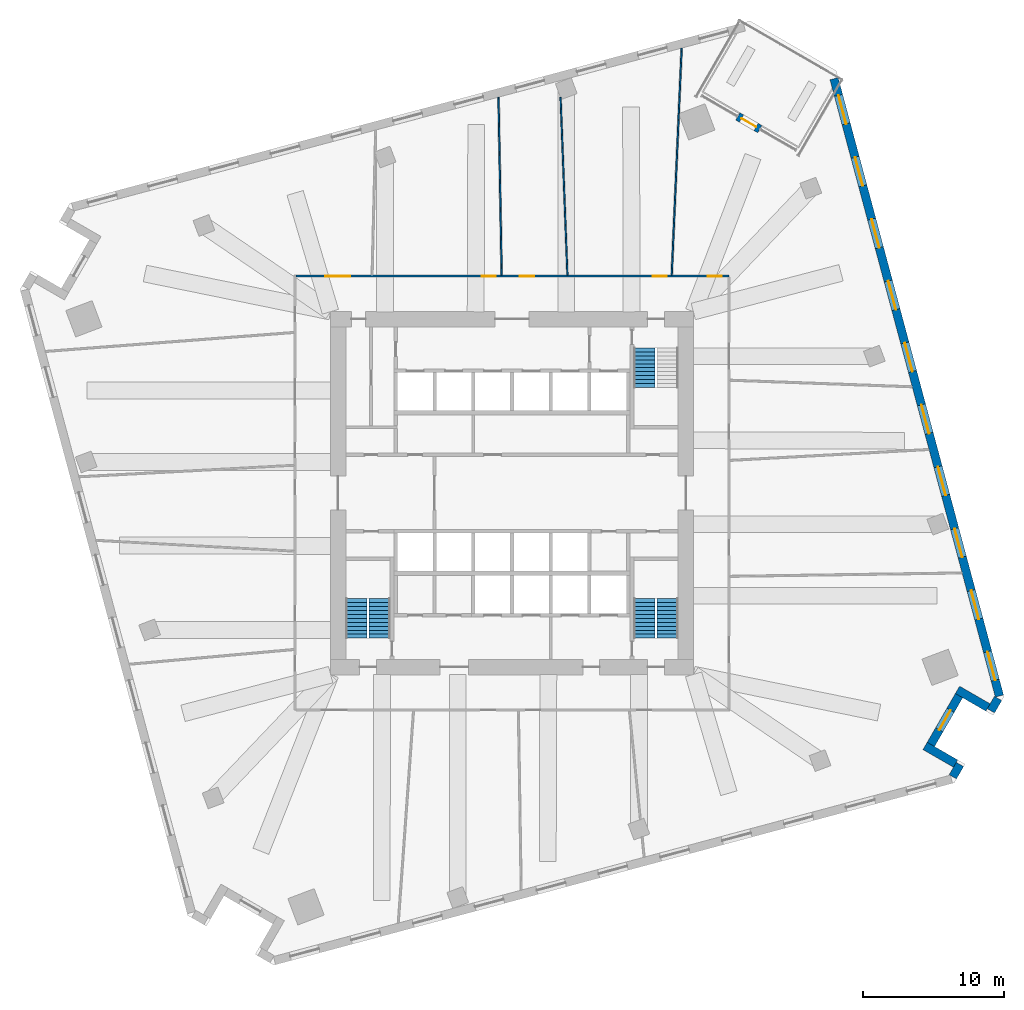
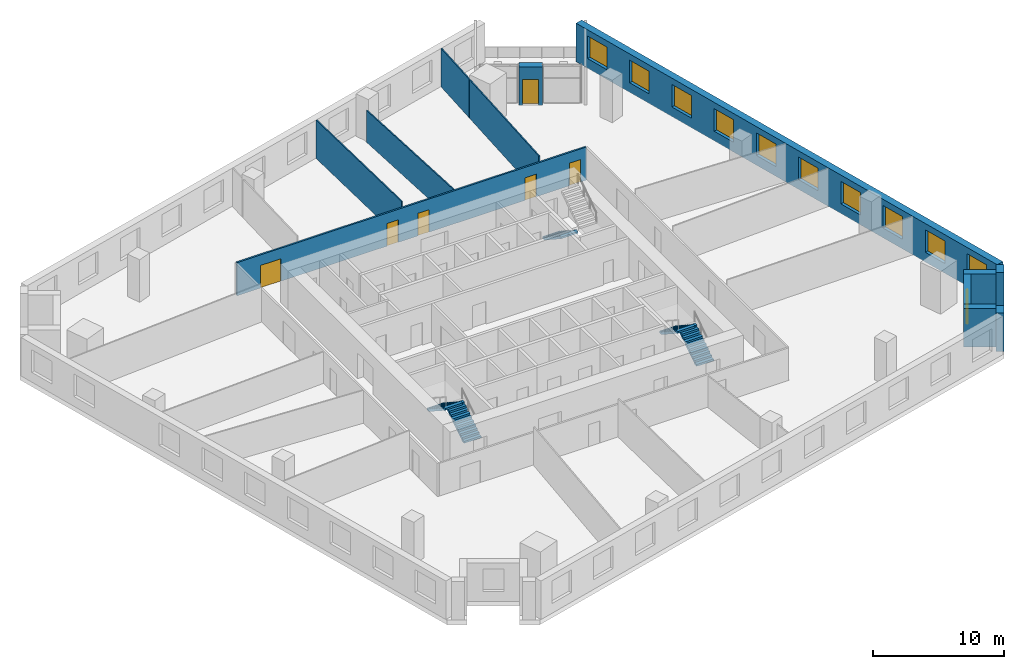
# One storey, part 8 of 11: 12 walls, 11 windows, 6 doors, 5 stair flights, 17 openings, 3 elements without a shape of their own.
"""IFC4 building model written with IfcOpenShell, lengths in metres."""

from ifc_helpers import new_model, si_unit, direction, frame, frame_2d, origin, place, context, subcontext, project, spatial, polyline, rectangle, outline, extrude, material, layer, layer_set, type_object, element, fill, aggregate, save


model = new_model("IFC4")

# Units and contexts
model_context = context("Model", 3, precision=1e-05, world=origin(), true_north=direction((0.0, 1.0)))
body_context = subcontext(model_context, "Body", "Model", "MODEL_VIEW")
ifc_project = project(units=[si_unit("LENGTHUNIT", "METRE"), si_unit("AREAUNIT", "SQUARE_METRE"), si_unit("VOLUMEUNIT", "CUBIC_METRE"), si_unit("PLANEANGLEUNIT", "RADIAN"), si_unit("MASSUNIT", "GRAM", prefix="KILO")], contexts=[model_context])

# Site, building, storey
site_placement = place(None, origin())
site = spatial("IfcSite", under=ifc_project, at=site_placement, CompositionType="ELEMENT")
building_placement = place(site_placement, origin())
building = spatial("IfcBuilding", under=site, at=building_placement, Name="Dilmun Exchange Tower", CompositionType="ELEMENT")
storey_placement = place(building_placement, frame((0.0, 0.0, 82.10009765625)))
storey = spatial("IfcBuildingStorey", under=building, at=storey_placement, Name="L18", CompositionType="ELEMENT", Elevation=82.10009765625)

# Wall, openings, doors
ifc_material_1 = material(Name="Corridor wall 150")
ifc_layer_1 = layer(ifc_material_1, 0.14990234375)
ifc_layer_set_1 = layer_set([ifc_layer_1], Name="Corridor wall 150")
wall_type_1 = type_object("IfcWallType", Name="Corridor wall 150", PredefinedType="PARTITIONING", material=ifc_layer_set_1)
wall_1_placement = place(storey_placement, frame((-15.324951171875, 15.39990234375, 0.0), z_axis=(0.0, 0.0, 1.0), x_axis=(1.0, 0.0, 0.0)))
wall_1 = element("IfcWall", 1, at=wall_1_placement, inside=storey, type_object=wall_type_1, Name="Corridor wall", PredefinedType="PARTITIONING", context=body_context, shape_type="SweptSolid", body=[
    extrude(rectangle(XDim=30.724853515625, YDim=0.14990234375, at=frame_2d((15.3623046875, 0.0))), origin(), (0.0, 0.0, 1.0), 3.079833984375),
])
opening_1_placement = place(wall_1_placement, frame((2.050048828125, 0.0, 0.0)))
opening_1 = element("IfcOpeningElement", 2, at=opening_1_placement, cuts=wall_1, Name="Opening TF18-D05", PredefinedType="OPENING", context=body_context, shape_type="SweptSolid", body=[
    extrude(rectangle(XDim=1.800048828125, YDim=2.10009765625, at=frame_2d((0.89990234375, 1.050048828125))), frame((0.0, 0.0849609375, 0.0), z_axis=(0.0, -1.0, 0.0), x_axis=(1.0, 0.0, 0.0)), (0.0, 0.0, 1.0), 0.169921875),
])
opening_2_placement = place(wall_1_placement, frame((13.18798828125, 0.0, 0.0)))
opening_2 = element("IfcOpeningElement", 3, at=opening_2_placement, cuts=wall_1, Name="Opening TF18-D09", PredefinedType="OPENING", context=body_context, shape_type="SweptSolid", body=[
    extrude(rectangle(XDim=1.0, YDim=2.10009765625, at=frame_2d((0.5, 1.050048828125))), frame((0.0, 0.0849609375, 0.0), z_axis=(0.0, -1.0, 0.0), x_axis=(1.0, 0.0, 0.0)), (0.0, 0.0, 1.0), 0.169921875),
])
opening_3_placement = place(wall_1_placement, frame((15.8916015625, 0.0, 0.0)))
opening_3 = element("IfcOpeningElement", 4, at=opening_3_placement, cuts=wall_1, Name="Opening TF18-D11", PredefinedType="OPENING", context=body_context, shape_type="SweptSolid", body=[
    extrude(rectangle(XDim=1.0, YDim=2.10009765625, at=frame_2d((0.5, 1.050048828125))), frame((0.0, 0.0849609375, 0.0), z_axis=(0.0, -1.0, 0.0), x_axis=(1.0, 0.0, 0.0)), (0.0, 0.0, 1.0), 0.169921875),
])
opening_4_placement = place(wall_1_placement, frame((25.311767578125, 0.0, 0.0)))
opening_4 = element("IfcOpeningElement", 5, at=opening_4_placement, cuts=wall_1, Name="Opening TF18-D13", PredefinedType="OPENING", context=body_context, shape_type="SweptSolid", body=[
    extrude(rectangle(XDim=1.0, YDim=2.10009765625, at=frame_2d((0.5, 1.050048828125))), frame((0.0, 0.0849609375, 0.0), z_axis=(0.0, -1.0, 0.0), x_axis=(1.0, 0.0, 0.0)), (0.0, 0.0, 1.0), 0.169921875),
])
opening_5_placement = place(wall_1_placement, frame((29.210693359375, 0.0, 0.0)))
opening_5 = element("IfcOpeningElement", 6, at=opening_5_placement, cuts=wall_1, Name="Opening TF18-D15", PredefinedType="OPENING", context=body_context, shape_type="SweptSolid", body=[
    extrude(rectangle(XDim=1.0, YDim=2.10009765625, at=frame_2d((0.5, 1.050048828125))), frame((0.0, 0.0849609375, 0.0), z_axis=(0.0, -1.0, 0.0), x_axis=(1.0, 0.0, 0.0)), (0.0, 0.0, 1.0), 0.169921875),
])
ifc_material_2 = material(Name="Fire door 1000 x 2100")
door_type_1 = type_object("IfcDoorType", Name="Fire door 1000 x 2100", OperationType="NOTDEFINED", PredefinedType="DOOR", material=ifc_material_2)
door_1_placement = place(opening_2_placement, origin())
door_1 = element("IfcDoor", 7, at=door_1_placement, inside=storey, type_object=door_type_1, Name="Door TF18-D09", OperationType="SINGLE_SWING_RIGHT", OverallHeight=2.10009765625, OverallWidth=1.0, PredefinedType="DOOR", context=body_context, shape_type="SweptSolid", body=[
    extrude(rectangle(XDim=1.0, YDim=2.10009765625, at=frame_2d((0.5, 1.050048828125))), frame((0.0, 0.02490234375, 0.0), z_axis=(0.0, -1.0, 0.0), x_axis=(1.0, 0.0, 0.0)), (0.0, 0.0, 1.0), 0.050048828125),
])
fill(opening_2, door_1)
door_2_placement = place(opening_3_placement, origin())
door_2 = element("IfcDoor", 8, at=door_2_placement, inside=storey, type_object=door_type_1, Name="Door TF18-D11", OperationType="SINGLE_SWING_LEFT", OverallHeight=2.10009765625, OverallWidth=1.0, PredefinedType="DOOR", context=body_context, shape_type="SweptSolid", body=[
    extrude(rectangle(XDim=1.0, YDim=2.10009765625, at=frame_2d((0.5, 1.050048828125))), frame((0.0, 0.02490234375, 0.0), z_axis=(0.0, -1.0, 0.0), x_axis=(1.0, 0.0, 0.0)), (0.0, 0.0, 1.0), 0.050048828125),
])
fill(opening_3, door_2)
door_3_placement = place(opening_4_placement, origin())
door_3 = element("IfcDoor", 9, at=door_3_placement, inside=storey, type_object=door_type_1, Name="Door TF18-D13", OperationType="SINGLE_SWING_RIGHT", OverallHeight=2.10009765625, OverallWidth=1.0, PredefinedType="DOOR", context=body_context, shape_type="SweptSolid", body=[
    extrude(rectangle(XDim=1.0, YDim=2.10009765625, at=frame_2d((0.5, 1.050048828125))), frame((0.0, 0.02490234375, 0.0), z_axis=(0.0, -1.0, 0.0), x_axis=(1.0, 0.0, 0.0)), (0.0, 0.0, 1.0), 0.050048828125),
])
fill(opening_4, door_3)
door_4_placement = place(opening_5_placement, origin())
door_4 = element("IfcDoor", 10, at=door_4_placement, inside=storey, type_object=door_type_1, Name="Door TF18-D15", OperationType="SINGLE_SWING_LEFT", OverallHeight=2.10009765625, OverallWidth=1.0, PredefinedType="DOOR", context=body_context, shape_type="SweptSolid", body=[
    extrude(rectangle(XDim=1.0, YDim=2.10009765625, at=frame_2d((0.5, 1.050048828125))), frame((0.0, 0.02490234375, 0.0), z_axis=(0.0, -1.0, 0.0), x_axis=(1.0, 0.0, 0.0)), (0.0, 0.0, 1.0), 0.050048828125),
])
fill(opening_5, door_4)
ifc_material_3 = material(Name="Fire door pair 1800 x 2100")
door_type_2 = type_object("IfcDoorType", Name="Fire door pair 1800 x 2100", OperationType="NOTDEFINED", PredefinedType="DOOR", material=ifc_material_3)
door_5_placement = place(opening_1_placement, origin())
door_5 = element("IfcDoor", 11, at=door_5_placement, inside=storey, type_object=door_type_2, Name="Door TF18-D05", OperationType="DOUBLE_DOOR_SINGLE_SWING", OverallHeight=2.10009765625, OverallWidth=1.800048828125, PredefinedType="DOOR", context=body_context, shape_type="SweptSolid", body=[
    extrude(rectangle(XDim=1.800048828125, YDim=2.10009765625, at=frame_2d((0.89990234375, 1.050048828125))), frame((0.0, 0.02490234375, 0.0), z_axis=(0.0, -1.0, 0.0), x_axis=(1.0, 0.0, 0.0)), (0.0, 0.0, 1.0), 0.050048828125),
])
fill(opening_1, door_5)

# Walls
ifc_material_4 = material(Name="Partition 100")
ifc_layer_2 = layer(ifc_material_4, 0.10009765625)
ifc_layer_set_2 = layer_set([ifc_layer_2], Name="Partition 100")
wall_type_2 = type_object("IfcWallType", Name="Partition 100", PredefinedType="PARTITIONING", material=ifc_layer_set_2)
wall_2_placement = place(storey_placement, frame((-0.9580078125, 28.10791015625, 0.0), z_axis=(0.0, 0.0, 1.0), x_axis=(0.017700788333, -0.999843328773, 0.0)))
element("IfcWall", 12, at=wall_2_placement, inside=storey, type_object=wall_type_2, Name="Partition", PredefinedType="PARTITIONING", context=body_context, shape_type="SweptSolid", body=[
    extrude(rectangle(XDim=12.634033203125, YDim=0.10009765625, at=frame_2d((6.31689453125, 0.0))), origin(), (0.0, 0.0, 1.0), 3.579833984375),
])
wall_3_placement = place(storey_placement, frame((3.44775390625, 28.089111328125, 0.0), z_axis=(0.0, 0.0, 1.0), x_axis=(0.038608436219, -0.999254416379, 0.0)))
element("IfcWall", 13, at=wall_3_placement, inside=storey, type_object=wall_type_2, Name="Partition", PredefinedType="PARTITIONING", context=body_context, shape_type="SweptSolid", body=[
    extrude(rectangle(XDim=12.621826171875, YDim=0.10009765625, at=frame_2d((6.31103515625, 0.0))), origin(), (0.0, 0.0, 1.0), 2.9599609375),
])
wall_4_placement = place(storey_placement, frame((11.33935546875, 15.477294921875, 0.0), z_axis=(0.0, 0.0, 1.0), x_axis=(0.04370366829, 0.999044538235, 0.0)))
element("IfcWall", 14, at=wall_4_placement, inside=storey, type_object=wall_type_2, Name="Partition", PredefinedType="PARTITIONING", context=body_context, shape_type="SweptSolid", body=[
    extrude(rectangle(XDim=11.451904296875, YDim=0.10009765625, at=frame_2d((5.72607421875, 0.0))), origin(), (0.0, 0.0, 1.0), 3.579833984375),
])
wall_5_placement = place(storey_placement, frame((11.8408203125, 26.939208984375, 0.0), z_axis=(0.0, 0.0, 1.0), x_axis=(0.04372159787, 0.999043753736, 0.0)))
element("IfcWall", 15, at=wall_5_placement, inside=storey, type_object=wall_type_2, Name="Partition", PredefinedType="PARTITIONING", context=body_context, shape_type="SweptSolid", body=[
    extrude(rectangle(XDim=4.656982421875, YDim=0.10009765625, at=frame_2d((2.32861328125, 0.0))), origin(), (0.0, 0.0, 1.0), 3.579833984375),
])
ifc_material_5 = material(Name="Precast concrete C50/60", Category="concrete")
ifc_layer_3 = layer(ifc_material_5, 0.60009765625)
ifc_layer_set_3 = layer_set([ifc_layer_3], Name="Precast concrete C50/60")
wall_type_3 = type_object("IfcWallType", Name="Precast stone-clad wall 600", PredefinedType="STANDARD", material=ifc_layer_set_3)
wall_6_placement = place(storey_placement, frame((31.29736328125, -20.14453125, 0.0), z_axis=(0.0, 0.0, 1.0), x_axis=(0.500008073096, 0.86602074273, 0.0)))
element("IfcWall", 16, at=wall_6_placement, inside=storey, type_object=wall_type_3, Name="Facade wall L18-16", PredefinedType="STANDARD", context=body_context, shape_type="SweptSolid", body=[
    extrude(rectangle(XDim=1.01123046875, YDim=0.60009765625, at=frame_2d((0.505615234375, 0.0))), origin(), (0.0, 0.0, 1.0), 3.579833984375),
])
wall_7_placement = place(storey_placement, frame((31.4931640625, -19.205322265625, 0.0), z_axis=(0.0, 0.0, 1.0), x_axis=(-0.866022959057, 0.500004234368, 0.0)))
element("IfcWall", 17, at=wall_7_placement, inside=storey, type_object=wall_type_3, Name="Facade wall L18-17", PredefinedType="STANDARD", context=body_context, shape_type="SweptSolid", body=[
    extrude(rectangle(XDim=2.5, YDim=0.60009765625, at=frame_2d((1.25, 0.0))), origin(), (0.0, 0.0, 1.0), 3.579833984375),
])

# Wall, opening, window
wall_8_placement = place(storey_placement, frame((29.738037109375, -17.845703125, 0.0), z_axis=(0.0, 0.0, 1.0), x_axis=(0.49999894854, 0.866026010844, 0.0)))
wall_8 = element("IfcWall", 18, at=wall_8_placement, inside=storey, type_object=wall_type_3, Name="Facade wall L18-18", PredefinedType="STANDARD", context=body_context, shape_type="SweptSolid", body=[
    extrude(rectangle(XDim=4.0, YDim=0.60009765625, at=frame_2d((2.0, 0.0))), origin(), (0.0, 0.0, 1.0), 3.579833984375),
])
opening_6_placement = place(wall_8_placement, frame((1.199951171875, 0.0, 0.89990234375)))
opening_6 = element("IfcOpeningElement", 19, at=opening_6_placement, cuts=wall_8, Name="Opening W160-210", PredefinedType="OPENING", context=body_context, shape_type="SweptSolid", body=[
    extrude(rectangle(XDim=1.60009765625, YDim=2.10009765625, at=frame_2d((0.800048828125, 1.050048828125))), frame((0.0, 0.31005859375, 0.0), z_axis=(0.0, -1.0, 0.0), x_axis=(1.0, 0.0, 0.0)), (0.0, 0.0, 1.0), 0.6201171875),
])
ifc_material_6 = material(Name="Clear low-emissivity glass in aluminium frame", Category="aluminium")
window_type_1 = type_object("IfcWindowType", Name="Punched window 1600 x 2100", PartitioningType="DOUBLE_PANEL_VERTICAL", PredefinedType="WINDOW", material=ifc_material_6)
window_1_placement = place(opening_6_placement, origin())
window_1 = element("IfcWindow", 20, at=window_1_placement, inside=storey, type_object=window_type_1, Name="Window 19.1", OverallHeight=2.10009765625, OverallWidth=1.60009765625, PartitioningType="SINGLE_PANEL", PredefinedType="WINDOW", context=body_context, shape_type="SweptSolid", body=[
    extrude(rectangle(XDim=1.60009765625, YDim=2.10009765625, at=frame_2d((0.800048828125, 1.050048828125))), frame((0.0, 0.030029296875, 0.0), z_axis=(0.0, -1.0, 0.0), x_axis=(1.0, 0.0, 0.0)), (0.0, 0.0, 1.0), 0.06005859375),
])
fill(opening_6, window_1)

# Walls
wall_9_placement = place(storey_placement, frame((31.628173828125, -13.9716796875, 0.0), z_axis=(0.0, 0.0, 1.0), x_axis=(0.866022959057, -0.500004234368, 0.0)))
element("IfcWall", 21, at=wall_9_placement, inside=storey, type_object=wall_type_3, Name="Facade wall L18-19", PredefinedType="STANDARD", context=body_context, shape_type="SweptSolid", body=[
    extrude(rectangle(XDim=2.5, YDim=0.60009765625, at=frame_2d((1.25, 0.0))), origin(), (0.0, 0.0, 1.0), 3.579833984375),
])
wall_10_placement = place(storey_placement, frame((34.0029296875, -15.458251953125, 0.0), z_axis=(0.0, 0.0, 1.0), x_axis=(0.500189113229, 0.865916191676, 0.0)))
element("IfcWall", 22, at=wall_10_placement, inside=storey, type_object=wall_type_3, Name="Facade wall L18-20", PredefinedType="STANDARD", context=body_context, shape_type="SweptSolid", body=[
    extrude(rectangle(XDim=1.01123046875, YDim=0.60009765625, at=frame_2d((0.505615234375, 0.0))), origin(), (0.0, 0.0, 1.0), 3.579833984375),
])

# Wall, openings, windows
wall_11_placement = place(storey_placement, frame((34.608642578125, -14.4091796875, 0.0), z_axis=(0.0, 0.0, 1.0), x_axis=(-0.258819814566, 0.965925620112, 0.0)))
wall_11 = element("IfcWall", 23, at=wall_11_placement, inside=storey, type_object=wall_type_3, Name="Facade wall L18-21", PredefinedType="STANDARD", context=body_context, shape_type="SweptSolid", body=[
    extrude(rectangle(XDim=45.375732421875, YDim=0.60009765625, at=frame_2d((22.68798828125, 0.0))), origin(), (0.0, 0.0, 1.0), 3.579833984375),
])
opening_7_placement = place(wall_11_placement, frame((1.162841796875, 0.0, 0.89990234375)))
opening_7 = element("IfcOpeningElement", 24, at=opening_7_placement, cuts=wall_11, Name="Opening W210-210", PredefinedType="OPENING", context=body_context, shape_type="SweptSolid", body=[
    extrude(rectangle(XDim=2.10009765625, YDim=2.10009765625, at=frame_2d((1.050048828125, 1.050048828125))), frame((0.0, 0.31005859375, 0.0), z_axis=(0.0, -1.0, 0.0), x_axis=(1.0, 0.0, 0.0)), (0.0, 0.0, 1.0), 0.6201171875),
])
opening_8_placement = place(wall_11_placement, frame((5.650634765625, 0.0, 0.89990234375)))
opening_8 = element("IfcOpeningElement", 25, at=opening_8_placement, cuts=wall_11, Name="Opening W210-210", PredefinedType="OPENING", context=body_context, shape_type="SweptSolid", body=[
    extrude(rectangle(XDim=2.10009765625, YDim=2.10009765625, at=frame_2d((1.050048828125, 1.050048828125))), frame((0.0, 0.31005859375, 0.0), z_axis=(0.0, -1.0, 0.0), x_axis=(1.0, 0.0, 0.0)), (0.0, 0.0, 1.0), 0.6201171875),
])
opening_9_placement = place(wall_11_placement, frame((10.20068359375, 0.0, 0.89990234375)))
opening_9 = element("IfcOpeningElement", 26, at=opening_9_placement, cuts=wall_11, Name="Opening W210-210", PredefinedType="OPENING", context=body_context, shape_type="SweptSolid", body=[
    extrude(rectangle(XDim=2.10009765625, YDim=2.10009765625, at=frame_2d((1.050048828125, 1.050048828125))), frame((0.0, 0.31005859375, 0.0), z_axis=(0.0, -1.0, 0.0), x_axis=(1.0, 0.0, 0.0)), (0.0, 0.0, 1.0), 0.6201171875),
])
opening_10_placement = place(wall_11_placement, frame((14.750732421875, 0.0, 0.89990234375)))
opening_10 = element("IfcOpeningElement", 27, at=opening_10_placement, cuts=wall_11, Name="Opening W210-210", PredefinedType="OPENING", context=body_context, shape_type="SweptSolid", body=[
    extrude(rectangle(XDim=2.10009765625, YDim=2.10009765625, at=frame_2d((1.050048828125, 1.050048828125))), frame((0.0, 0.31005859375, 0.0), z_axis=(0.0, -1.0, 0.0), x_axis=(1.0, 0.0, 0.0)), (0.0, 0.0, 1.0), 0.6201171875),
])
opening_11_placement = place(wall_11_placement, frame((19.30078125, 0.0, 0.89990234375)))
opening_11 = element("IfcOpeningElement", 28, at=opening_11_placement, cuts=wall_11, Name="Opening W210-210", PredefinedType="OPENING", context=body_context, shape_type="SweptSolid", body=[
    extrude(rectangle(XDim=2.10009765625, YDim=2.10009765625, at=frame_2d((1.050048828125, 1.050048828125))), frame((0.0, 0.31005859375, 0.0), z_axis=(0.0, -1.0, 0.0), x_axis=(1.0, 0.0, 0.0)), (0.0, 0.0, 1.0), 0.6201171875),
])
opening_12_placement = place(wall_11_placement, frame((23.8505859375, 0.0, 0.89990234375)))
opening_12 = element("IfcOpeningElement", 29, at=opening_12_placement, cuts=wall_11, Name="Opening W210-210", PredefinedType="OPENING", context=body_context, shape_type="SweptSolid", body=[
    extrude(rectangle(XDim=2.10009765625, YDim=2.10009765625, at=frame_2d((1.050048828125, 1.050048828125))), frame((0.0, 0.31005859375, 0.0), z_axis=(0.0, -1.0, 0.0), x_axis=(1.0, 0.0, 0.0)), (0.0, 0.0, 1.0), 0.6201171875),
])
opening_13_placement = place(wall_11_placement, frame((28.400634765625, 0.0, 0.89990234375)))
opening_13 = element("IfcOpeningElement", 30, at=opening_13_placement, cuts=wall_11, Name="Opening W210-210", PredefinedType="OPENING", context=body_context, shape_type="SweptSolid", body=[
    extrude(rectangle(XDim=2.10009765625, YDim=2.10009765625, at=frame_2d((1.050048828125, 1.050048828125))), frame((0.0, 0.31005859375, 0.0), z_axis=(0.0, -1.0, 0.0), x_axis=(1.0, 0.0, 0.0)), (0.0, 0.0, 1.0), 0.6201171875),
])
opening_14_placement = place(wall_11_placement, frame((32.95068359375, 0.0, 0.89990234375)))
opening_14 = element("IfcOpeningElement", 31, at=opening_14_placement, cuts=wall_11, Name="Opening W210-210", PredefinedType="OPENING", context=body_context, shape_type="SweptSolid", body=[
    extrude(rectangle(XDim=2.10009765625, YDim=2.10009765625, at=frame_2d((1.050048828125, 1.050048828125))), frame((0.0, 0.31005859375, 0.0), z_axis=(0.0, -1.0, 0.0), x_axis=(1.0, 0.0, 0.0)), (0.0, 0.0, 1.0), 0.6201171875),
])
opening_15_placement = place(wall_11_placement, frame((37.500732421875, 0.0, 0.89990234375)))
opening_15 = element("IfcOpeningElement", 32, at=opening_15_placement, cuts=wall_11, Name="Opening W210-210", PredefinedType="OPENING", context=body_context, shape_type="SweptSolid", body=[
    extrude(rectangle(XDim=2.10009765625, YDim=2.10009765625, at=frame_2d((1.050048828125, 1.050048828125))), frame((0.0, 0.31005859375, 0.0), z_axis=(0.0, -1.0, 0.0), x_axis=(1.0, 0.0, 0.0)), (0.0, 0.0, 1.0), 0.6201171875),
])
opening_16_placement = place(wall_11_placement, frame((42.05078125, 0.0, 0.89990234375)))
opening_16 = element("IfcOpeningElement", 33, at=opening_16_placement, cuts=wall_11, Name="Opening W210-210", PredefinedType="OPENING", context=body_context, shape_type="SweptSolid", body=[
    extrude(rectangle(XDim=2.10009765625, YDim=2.10009765625, at=frame_2d((1.050048828125, 1.050048828125))), frame((0.0, 0.31005859375, 0.0), z_axis=(0.0, -1.0, 0.0), x_axis=(1.0, 0.0, 0.0)), (0.0, 0.0, 1.0), 0.6201171875),
])
window_type_2 = type_object("IfcWindowType", Name="Punched window 2100 x 2100", PartitioningType="DOUBLE_PANEL_VERTICAL", PredefinedType="WINDOW", material=ifc_material_6)
window_2_placement = place(opening_7_placement, origin())
window_2 = element("IfcWindow", 34, at=window_2_placement, inside=storey, type_object=window_type_2, Name="Window 22.1", OverallHeight=2.10009765625, OverallWidth=2.10009765625, PartitioningType="SINGLE_PANEL", PredefinedType="WINDOW", context=body_context, shape_type="SweptSolid", body=[
    extrude(rectangle(XDim=2.10009765625, YDim=2.10009765625, at=frame_2d((1.050048828125, 1.050048828125))), frame((0.0, 0.030029296875, 0.0), z_axis=(0.0, -1.0, 0.0), x_axis=(1.0, 0.0, 0.0)), (0.0, 0.0, 1.0), 0.06005859375),
])
fill(opening_7, window_2)
window_3_placement = place(opening_8_placement, origin())
window_3 = element("IfcWindow", 35, at=window_3_placement, inside=storey, type_object=window_type_2, Name="Window 22.2", OverallHeight=2.10009765625, OverallWidth=2.10009765625, PartitioningType="SINGLE_PANEL", PredefinedType="WINDOW", context=body_context, shape_type="SweptSolid", body=[
    extrude(rectangle(XDim=2.10009765625, YDim=2.10009765625, at=frame_2d((1.050048828125, 1.050048828125))), frame((0.0, 0.030029296875, 0.0), z_axis=(0.0, -1.0, 0.0), x_axis=(1.0, 0.0, 0.0)), (0.0, 0.0, 1.0), 0.06005859375),
])
fill(opening_8, window_3)
window_4_placement = place(opening_9_placement, origin())
window_4 = element("IfcWindow", 36, at=window_4_placement, inside=storey, type_object=window_type_2, Name="Window 22.3", OverallHeight=2.10009765625, OverallWidth=2.10009765625, PartitioningType="SINGLE_PANEL", PredefinedType="WINDOW", context=body_context, shape_type="SweptSolid", body=[
    extrude(rectangle(XDim=2.10009765625, YDim=2.10009765625, at=frame_2d((1.050048828125, 1.050048828125))), frame((0.0, 0.030029296875, 0.0), z_axis=(0.0, -1.0, 0.0), x_axis=(1.0, 0.0, 0.0)), (0.0, 0.0, 1.0), 0.06005859375),
])
fill(opening_9, window_4)
window_5_placement = place(opening_10_placement, origin())
window_5 = element("IfcWindow", 37, at=window_5_placement, inside=storey, type_object=window_type_2, Name="Window 22.4", OverallHeight=2.10009765625, OverallWidth=2.10009765625, PartitioningType="SINGLE_PANEL", PredefinedType="WINDOW", context=body_context, shape_type="SweptSolid", body=[
    extrude(rectangle(XDim=2.10009765625, YDim=2.10009765625, at=frame_2d((1.050048828125, 1.050048828125))), frame((0.0, 0.030029296875, 0.0), z_axis=(0.0, -1.0, 0.0), x_axis=(1.0, 0.0, 0.0)), (0.0, 0.0, 1.0), 0.06005859375),
])
fill(opening_10, window_5)
window_6_placement = place(opening_11_placement, origin())
window_6 = element("IfcWindow", 38, at=window_6_placement, inside=storey, type_object=window_type_2, Name="Window 22.5", OverallHeight=2.10009765625, OverallWidth=2.10009765625, PartitioningType="SINGLE_PANEL", PredefinedType="WINDOW", context=body_context, shape_type="SweptSolid", body=[
    extrude(rectangle(XDim=2.10009765625, YDim=2.10009765625, at=frame_2d((1.050048828125, 1.050048828125))), frame((0.0, 0.030029296875, 0.0), z_axis=(0.0, -1.0, 0.0), x_axis=(1.0, 0.0, 0.0)), (0.0, 0.0, 1.0), 0.06005859375),
])
fill(opening_11, window_6)
window_7_placement = place(opening_12_placement, origin())
window_7 = element("IfcWindow", 39, at=window_7_placement, inside=storey, type_object=window_type_2, Name="Window 22.6", OverallHeight=2.10009765625, OverallWidth=2.10009765625, PartitioningType="SINGLE_PANEL", PredefinedType="WINDOW", context=body_context, shape_type="SweptSolid", body=[
    extrude(rectangle(XDim=2.10009765625, YDim=2.10009765625, at=frame_2d((1.050048828125, 1.050048828125))), frame((0.0, 0.030029296875, 0.0), z_axis=(0.0, -1.0, 0.0), x_axis=(1.0, 0.0, 0.0)), (0.0, 0.0, 1.0), 0.06005859375),
])
fill(opening_12, window_7)
window_8_placement = place(opening_13_placement, origin())
window_8 = element("IfcWindow", 40, at=window_8_placement, inside=storey, type_object=window_type_2, Name="Window 22.7", OverallHeight=2.10009765625, OverallWidth=2.10009765625, PartitioningType="SINGLE_PANEL", PredefinedType="WINDOW", context=body_context, shape_type="SweptSolid", body=[
    extrude(rectangle(XDim=2.10009765625, YDim=2.10009765625, at=frame_2d((1.050048828125, 1.050048828125))), frame((0.0, 0.030029296875, 0.0), z_axis=(0.0, -1.0, 0.0), x_axis=(1.0, 0.0, 0.0)), (0.0, 0.0, 1.0), 0.06005859375),
])
fill(opening_13, window_8)
window_9_placement = place(opening_14_placement, origin())
window_9 = element("IfcWindow", 41, at=window_9_placement, inside=storey, type_object=window_type_2, Name="Window 22.8", OverallHeight=2.10009765625, OverallWidth=2.10009765625, PartitioningType="SINGLE_PANEL", PredefinedType="WINDOW", context=body_context, shape_type="SweptSolid", body=[
    extrude(rectangle(XDim=2.10009765625, YDim=2.10009765625, at=frame_2d((1.050048828125, 1.050048828125))), frame((0.0, 0.030029296875, 0.0), z_axis=(0.0, -1.0, 0.0), x_axis=(1.0, 0.0, 0.0)), (0.0, 0.0, 1.0), 0.06005859375),
])
fill(opening_14, window_9)
window_10_placement = place(opening_15_placement, origin())
window_10 = element("IfcWindow", 42, at=window_10_placement, inside=storey, type_object=window_type_2, Name="Window 22.9", OverallHeight=2.10009765625, OverallWidth=2.10009765625, PartitioningType="SINGLE_PANEL", PredefinedType="WINDOW", context=body_context, shape_type="SweptSolid", body=[
    extrude(rectangle(XDim=2.10009765625, YDim=2.10009765625, at=frame_2d((1.050048828125, 1.050048828125))), frame((0.0, 0.030029296875, 0.0), z_axis=(0.0, -1.0, 0.0), x_axis=(1.0, 0.0, 0.0)), (0.0, 0.0, 1.0), 0.06005859375),
])
fill(opening_15, window_10)
window_11_placement = place(opening_16_placement, origin())
window_11 = element("IfcWindow", 43, at=window_11_placement, inside=storey, type_object=window_type_2, Name="Window 22.10", OverallHeight=2.10009765625, OverallWidth=2.10009765625, PartitioningType="SINGLE_PANEL", PredefinedType="WINDOW", context=body_context, shape_type="SweptSolid", body=[
    extrude(rectangle(XDim=2.10009765625, YDim=2.10009765625, at=frame_2d((1.050048828125, 1.050048828125))), frame((0.0, 0.030029296875, 0.0), z_axis=(0.0, -1.0, 0.0), x_axis=(1.0, 0.0, 0.0)), (0.0, 0.0, 1.0), 0.06005859375),
])
fill(opening_16, window_11)

# Wall, opening, door
wall_12_placement = place(storey_placement, frame((17.592529296875, 25.8427734375, 0.0), z_axis=(0.0, 0.0, 1.0), x_axis=(-0.866047807691, 0.499961193289, 0.0)))
wall_12 = element("IfcWall", 44, at=wall_12_placement, inside=storey, type_object=wall_type_3, Name="Facade wall L18-01-D", PredefinedType="STANDARD", context=body_context, shape_type="SweptSolid", body=[
    extrude(rectangle(XDim=1.800048828125, YDim=0.60009765625, at=frame_2d((0.89990234375, 0.0))), origin(), (0.0, 0.0, 1.0), 3.579833984375),
])
opening_17_placement = place(wall_12_placement, frame((0.300048828125, 0.0, 0.0)))
opening_17 = element("IfcOpeningElement", 45, at=opening_17_placement, cuts=wall_12, Name="Opening GD-1", PredefinedType="OPENING", context=body_context, shape_type="SweptSolid", body=[
    extrude(rectangle(XDim=1.199951171875, YDim=2.39990234375, at=frame_2d((0.60009765625, 1.199951171875))), frame((0.0, 0.31005859375, 0.0), z_axis=(0.0, -1.0, 0.0), x_axis=(1.0, 0.0, 0.0)), (0.0, 0.0, 1.0), 0.6201171875),
])
door_type_3 = type_object("IfcDoorType", Name="Glazed garden door 1200 x 2400", OperationType="SINGLE_SWING_LEFT", PredefinedType="DOOR", material=ifc_material_6)
door_6_placement = place(opening_17_placement, origin())
door_6 = element("IfcDoor", 46, at=door_6_placement, inside=storey, type_object=door_type_3, Name="Garden terrace door", OperationType="SINGLE_SWING_LEFT", OverallHeight=2.39990234375, OverallWidth=1.199951171875, PredefinedType="DOOR", context=body_context, shape_type="SweptSolid", body=[
    extrude(rectangle(XDim=1.199951171875, YDim=2.39990234375, at=frame_2d((0.60009765625, 1.199951171875))), frame((0.0, 0.02490234375, 0.0), z_axis=(0.0, -1.0, 0.0), x_axis=(1.0, 0.0, 0.0)), (0.0, 0.0, 1.0), 0.050048828125),
])
fill(opening_17, door_6)

# Stair, stair flight
ifc_material_7 = material(Name="Concrete C40/50", Category="concrete")
stair_type = type_object("IfcStairType", Name="Exit stair 1500 half-turn", PredefinedType="HALF_TURN_STAIR", material=ifc_material_7)
stair_1_placement = place(storey_placement, origin())
stair_1 = element("IfcStair", 47, at=stair_1_placement, inside=storey, type_object=stair_type, Name="L18 Protected exit stair ST1", PredefinedType="HALF_TURN_STAIR")
stair_flight_type = type_object("IfcStairFlightType", Name="Exit stair flight 1500", PredefinedType="STRAIGHT", material=ifc_material_7)
stair_flight_1_placement = place(storey_placement, frame((9.39990234375, 10.300048828125, 0.0), z_axis=(0.0, 0.0, 1.0), x_axis=(0.0, -1.0, 0.0)))
stair_flight_1 = element("IfcStairFlight", 48, at=stair_flight_1_placement, type_object=stair_flight_type, Name="ST1 flight 1", NumberOfRisers=11, NumberOfTreads=10, PredefinedType="STRAIGHT", RiserHeight=0.181818182, TreadLength=0.28, context=body_context, shape_type="SweptSolid", body=[
    extrude(outline(polyline([(0.0, 0.0), (0.0, 0.181884765625), (0.280029296875, 0.181884765625), (0.280029296875, 0.363525390625), (0.56005859375, 0.363525390625), (0.56005859375, 0.54541015625), (0.840087890625, 0.54541015625), (0.840087890625, 0.727294921875), (1.1201171875, 0.727294921875), (1.1201171875, 0.9091796875), (1.39990234375, 0.9091796875), (1.39990234375, 1.0908203125), (1.679931640625, 1.0908203125), (1.679931640625, 1.272705078125), (1.9599609375, 1.272705078125), (1.9599609375, 1.45458984375), (2.239990234375, 1.45458984375), (2.239990234375, 1.636474609375), (2.52001953125, 1.636474609375), (2.52001953125, 1.818115234375), (2.800048828125, 1.818115234375), (2.800048828125, 2.0), (2.800048828125, 1.639404296875), (0.275146484375, 0.0), (0.0, 0.0)])), frame((0.0, 0.75, 0.0), z_axis=(0.0, -1.0, 0.0), x_axis=(1.0, 0.0, 0.0)), (0.0, 0.0, 1.0), 1.5),
])
aggregate(stair_1, [stair_flight_1])

# Stair, stair flights
stair_2_placement = place(storey_placement, origin())
stair_2 = element("IfcStair", 49, at=stair_2_placement, inside=storey, type_object=stair_type, Name="L18 Protected exit stair ST2", PredefinedType="HALF_TURN_STAIR")
stair_flight_2_placement = place(storey_placement, frame((-9.39990234375, -10.300048828125, 0.0), z_axis=(0.0, 0.0, 1.0), x_axis=(0.0, 1.0, 0.0)))
stair_flight_2 = element("IfcStairFlight", 50, at=stair_flight_2_placement, type_object=stair_flight_type, Name="ST2 flight 1", NumberOfRisers=11, NumberOfTreads=10, PredefinedType="STRAIGHT", RiserHeight=0.181818182, TreadLength=0.28, context=body_context, shape_type="SweptSolid", body=[
    extrude(outline(polyline([(0.0, 0.0), (0.0, 0.181884765625), (0.280029296875, 0.181884765625), (0.280029296875, 0.363525390625), (0.56005859375, 0.363525390625), (0.56005859375, 0.54541015625), (0.840087890625, 0.54541015625), (0.840087890625, 0.727294921875), (1.1201171875, 0.727294921875), (1.1201171875, 0.9091796875), (1.39990234375, 0.9091796875), (1.39990234375, 1.0908203125), (1.679931640625, 1.0908203125), (1.679931640625, 1.272705078125), (1.9599609375, 1.272705078125), (1.9599609375, 1.45458984375), (2.239990234375, 1.45458984375), (2.239990234375, 1.636474609375), (2.52001953125, 1.636474609375), (2.52001953125, 1.818115234375), (2.800048828125, 1.818115234375), (2.800048828125, 2.0), (2.800048828125, 1.639404296875), (0.275146484375, 0.0), (0.0, 0.0)])), frame((0.0, 0.75, 0.0), z_axis=(0.0, -1.0, 0.0), x_axis=(1.0, 0.0, 0.0)), (0.0, 0.0, 1.0), 1.5),
])
stair_flight_3_placement = place(storey_placement, frame((-11.050048828125, -7.5, 2.0), z_axis=(0.0, 0.0, 1.0), x_axis=(0.0, -1.0, 0.0)))
stair_flight_3 = element("IfcStairFlight", 51, at=stair_flight_3_placement, type_object=stair_flight_type, Name="ST2 flight 2", NumberOfRisers=11, NumberOfTreads=10, PredefinedType="STRAIGHT", RiserHeight=0.181818182, TreadLength=0.28, context=body_context, shape_type="SweptSolid", body=[
    extrude(outline(polyline([(0.0, 0.0), (0.0, 0.181884765625), (0.280029296875, 0.181884765625), (0.280029296875, 0.363525390625), (0.56005859375, 0.363525390625), (0.56005859375, 0.54541015625), (0.840087890625, 0.54541015625), (0.840087890625, 0.727294921875), (1.1201171875, 0.727294921875), (1.1201171875, 0.9091796875), (1.39990234375, 0.9091796875), (1.39990234375, 1.0908203125), (1.679931640625, 1.0908203125), (1.679931640625, 1.272705078125), (1.9599609375, 1.272705078125), (1.9599609375, 1.45458984375), (2.239990234375, 1.45458984375), (2.239990234375, 1.636474609375), (2.52001953125, 1.636474609375), (2.52001953125, 1.818115234375), (2.800048828125, 1.818115234375), (2.800048828125, 2.0), (2.800048828125, 1.639404296875), (0.275146484375, 0.0), (0.0, 0.0)])), frame((0.0, 0.75, 0.0), z_axis=(0.0, -1.0, 0.0), x_axis=(1.0, 0.0, 0.0)), (0.0, 0.0, 1.0), 1.5),
])
aggregate(stair_2, [stair_flight_2, stair_flight_3])

stair_3_placement = place(storey_placement, origin())
stair_3 = element("IfcStair", 52, at=stair_3_placement, inside=storey, type_object=stair_type, Name="L18 Protected exit stair ST3", PredefinedType="HALF_TURN_STAIR")
stair_flight_4_placement = place(storey_placement, frame((11.050048828125, -10.300048828125, 0.0), z_axis=(0.0, 0.0, 1.0), x_axis=(0.0, 1.0, 0.0)))
stair_flight_4 = element("IfcStairFlight", 53, at=stair_flight_4_placement, type_object=stair_flight_type, Name="ST3 flight 1", NumberOfRisers=11, NumberOfTreads=10, PredefinedType="STRAIGHT", RiserHeight=0.181818182, TreadLength=0.28, context=body_context, shape_type="SweptSolid", body=[
    extrude(outline(polyline([(0.0, 0.0), (0.0, 0.181884765625), (0.280029296875, 0.181884765625), (0.280029296875, 0.363525390625), (0.56005859375, 0.363525390625), (0.56005859375, 0.54541015625), (0.840087890625, 0.54541015625), (0.840087890625, 0.727294921875), (1.1201171875, 0.727294921875), (1.1201171875, 0.9091796875), (1.39990234375, 0.9091796875), (1.39990234375, 1.0908203125), (1.679931640625, 1.0908203125), (1.679931640625, 1.272705078125), (1.9599609375, 1.272705078125), (1.9599609375, 1.45458984375), (2.239990234375, 1.45458984375), (2.239990234375, 1.636474609375), (2.52001953125, 1.636474609375), (2.52001953125, 1.818115234375), (2.800048828125, 1.818115234375), (2.800048828125, 2.0), (2.800048828125, 1.639404296875), (0.275146484375, 0.0), (0.0, 0.0)])), frame((0.0, 0.75, 0.0), z_axis=(0.0, -1.0, 0.0), x_axis=(1.0, 0.0, 0.0)), (0.0, 0.0, 1.0), 1.5),
])
stair_flight_5_placement = place(storey_placement, frame((9.39990234375, -7.5, 2.0), z_axis=(0.0, 0.0, 1.0), x_axis=(0.0, -1.0, 0.0)))
stair_flight_5 = element("IfcStairFlight", 54, at=stair_flight_5_placement, type_object=stair_flight_type, Name="ST3 flight 2", NumberOfRisers=11, NumberOfTreads=10, PredefinedType="STRAIGHT", RiserHeight=0.181818182, TreadLength=0.28, context=body_context, shape_type="SweptSolid", body=[
    extrude(outline(polyline([(0.0, 0.0), (0.0, 0.181884765625), (0.280029296875, 0.181884765625), (0.280029296875, 0.363525390625), (0.56005859375, 0.363525390625), (0.56005859375, 0.54541015625), (0.840087890625, 0.54541015625), (0.840087890625, 0.727294921875), (1.1201171875, 0.727294921875), (1.1201171875, 0.9091796875), (1.39990234375, 0.9091796875), (1.39990234375, 1.0908203125), (1.679931640625, 1.0908203125), (1.679931640625, 1.272705078125), (1.9599609375, 1.272705078125), (1.9599609375, 1.45458984375), (2.239990234375, 1.45458984375), (2.239990234375, 1.636474609375), (2.52001953125, 1.636474609375), (2.52001953125, 1.818115234375), (2.800048828125, 1.818115234375), (2.800048828125, 2.0), (2.800048828125, 1.639404296875), (0.275146484375, 0.0), (0.0, 0.0)])), frame((0.0, 0.75, 0.0), z_axis=(0.0, -1.0, 0.0), x_axis=(1.0, 0.0, 0.0)), (0.0, 0.0, 1.0), 1.5),
])
aggregate(stair_3, [stair_flight_4, stair_flight_5])

save(model, "model.ifc")
